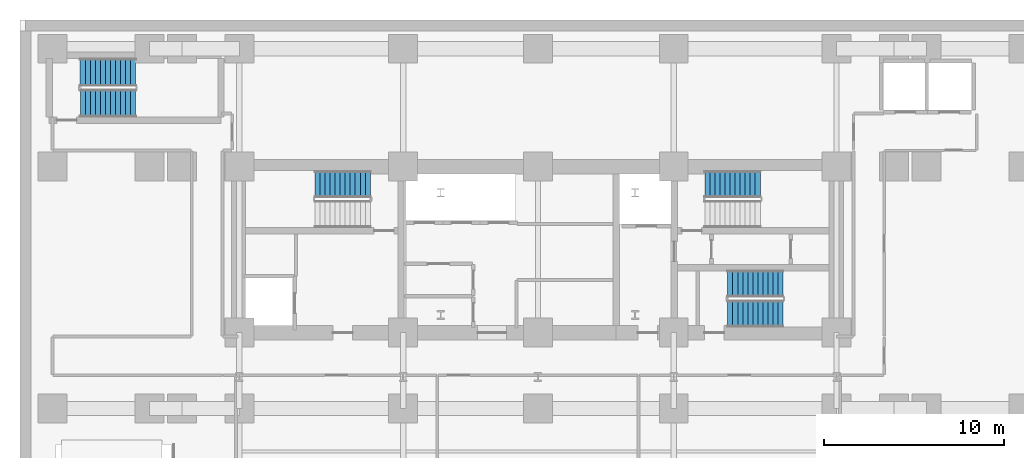
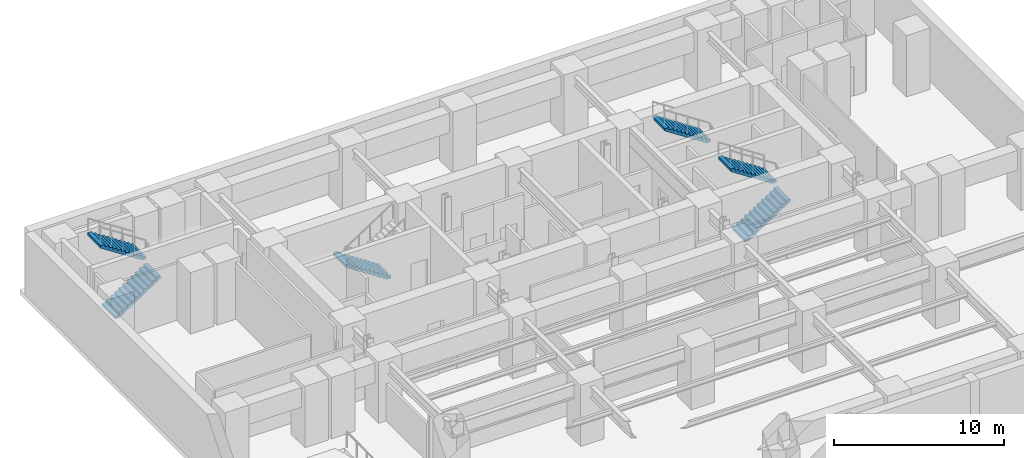
# One storey, part 5 of 9: 6 stair flights, 4 elements without a shape of their own.
"""IFC4 building model written with IfcOpenShell, lengths in metres."""

from ifc_helpers import new_model, si_unit, direction, frame, origin, place, context, subcontext, project, spatial, polyline, outline, extrude, material, layer, layer_set, type_object, element, aggregate, save


model = new_model("IFC4")

# Units and contexts
model_context = context("Model", 3, precision=1e-05, world=origin(), true_north=direction((0.0, 1.0)))
body_context = subcontext(model_context, "Body", "Model", "MODEL_VIEW")
ifc_project = project(units=[si_unit("LENGTHUNIT", "METRE"), si_unit("AREAUNIT", "SQUARE_METRE"), si_unit("VOLUMEUNIT", "CUBIC_METRE"), si_unit("PLANEANGLEUNIT", "RADIAN"), si_unit("MASSUNIT", "GRAM", prefix="KILO")], contexts=[model_context])

# Site, building, storey
site_placement = place(None, origin())
site = spatial("IfcSite", under=ifc_project, at=site_placement, CompositionType="ELEMENT")
building_placement = place(site_placement, origin())
building = spatial("IfcBuilding", under=site, at=building_placement, Name="Zarnavel Station Tower", CompositionType="ELEMENT")
storey_placement = place(building_placement, frame((0.0, 0.0, -8.800048828125)))
storey = spatial("IfcBuildingStorey", under=building, at=storey_placement, Name="B02", CompositionType="ELEMENT", Elevation=-8.800048828125)

# Stair, stair flight
ifc_material_1 = material(Name="Concrete C45/55", Category="concrete")
stair_type_1 = type_object("IfcStairType", Name="ST_CORE_150", PredefinedType="HALF_TURN_STAIR", material=ifc_material_1)
stair_1_placement = place(storey_placement, origin())
stair_1 = element("IfcStair", 1, at=stair_1_placement, inside=storey, type_object=stair_type_1, Name="B02 Core Exit Stair ST1", PredefinedType="HALF_TURN_STAIR")
ifc_material_2 = material(Name="Concrete C45/55", Category="concrete")
ifc_layer_1 = layer(ifc_material_2, 0.179931640625)
ifc_layer_set_1 = layer_set([ifc_layer_1], Name="ST_CORE_150_FLT")
stair_flight_type_1 = type_object("IfcStairFlightType", Name="ST_CORE_150_FLT", PredefinedType="STRAIGHT", material=ifc_layer_set_1)
stair_flight_1_placement = place(storey_placement, frame((19.47998046875, 36.070068359375, 0.0), z_axis=(0.0, 0.0, 1.0), x_axis=(-1.0, 0.0, 0.0)))
stair_flight_1 = element("IfcStairFlight", 2, at=stair_flight_1_placement, type_object=stair_flight_type_1, Name="ST1 flight 1", NumberOfRisers=12, NumberOfTreads=11, PredefinedType="STRAIGHT", RiserHeight=0.183333333, TreadLength=0.28, context=body_context, shape_type="SweptSolid", body=[
    extrude(outline(polyline([(0.0, 0.0), (0.0, 0.183349609375), (0.280029296875, 0.183349609375), (0.280029296875, 0.36669921875), (0.56005859375, 0.36669921875), (0.56005859375, 0.550048828125), (0.840087890625, 0.550048828125), (0.840087890625, 0.7333984375), (1.1201171875, 0.7333984375), (1.1201171875, 0.916748046875), (1.39990234375, 0.916748046875), (1.39990234375, 1.10009765625), (1.679931640625, 1.10009765625), (1.679931640625, 1.283447265625), (1.9599609375, 1.283447265625), (1.9599609375, 1.466552734375), (2.239990234375, 1.466552734375), (2.239990234375, 1.64990234375), (2.52001953125, 1.64990234375), (2.52001953125, 1.833251953125), (2.800048828125, 1.833251953125), (2.800048828125, 2.0166015625), (3.080078125, 2.0166015625), (3.080078125, 2.199951171875), (3.080078125, 1.83740234375), (0.273681640625, 0.0), (0.0, 0.0)])), frame((0.0, 0.75, 0.0), z_axis=(0.0, -1.0, 0.0), x_axis=(1.0, 0.0, 0.0)), (0.0, 0.0, 1.0), 1.5),
])
aggregate(stair_1, [stair_flight_1])

stair_2_placement = place(storey_placement, origin())
stair_2 = element("IfcStair", 3, at=stair_2_placement, inside=storey, type_object=stair_type_1, Name="B02 Core Exit Stair ST2", PredefinedType="HALF_TURN_STAIR")
stair_flight_2_placement = place(storey_placement, frame((41.159912109375, 36.070068359375, 2.199951171875), z_axis=(0.0, 0.0, 1.0), x_axis=(-1.0, 0.0, 0.0)))
stair_flight_2 = element("IfcStairFlight", 4, at=stair_flight_2_placement, type_object=stair_flight_type_1, Name="ST2 flight 2", NumberOfRisers=12, NumberOfTreads=11, PredefinedType="STRAIGHT", RiserHeight=0.183333333, TreadLength=0.28, context=body_context, shape_type="SweptSolid", body=[
    extrude(outline(polyline([(0.0, 0.0), (0.0, 0.183349609375), (0.280029296875, 0.183349609375), (0.280029296875, 0.36669921875), (0.56005859375, 0.36669921875), (0.56005859375, 0.550048828125), (0.840087890625, 0.550048828125), (0.840087890625, 0.7333984375), (1.1201171875, 0.7333984375), (1.1201171875, 0.916748046875), (1.39990234375, 0.916748046875), (1.39990234375, 1.10009765625), (1.679931640625, 1.10009765625), (1.679931640625, 1.283447265625), (1.9599609375, 1.283447265625), (1.9599609375, 1.466552734375), (2.239990234375, 1.466552734375), (2.239990234375, 1.64990234375), (2.52001953125, 1.64990234375), (2.52001953125, 1.833251953125), (2.800048828125, 1.833251953125), (2.800048828125, 2.0166015625), (3.080078125, 2.0166015625), (3.080078125, 2.199951171875), (3.080078125, 1.83740234375), (0.273681640625, 0.0), (0.0, 0.0)])), frame((0.0, 0.75, 0.0), z_axis=(0.0, -1.0, 0.0), x_axis=(1.0, 0.0, 0.0)), (0.0, 0.0, 1.0), 1.5),
])
aggregate(stair_2, [stair_flight_2])

# Stair, stair flights
stair_3_placement = place(storey_placement, origin())
stair_3 = element("IfcStair", 5, at=stair_3_placement, inside=storey, type_object=stair_type_1, Name="B02 Core Exit Stair ST3", PredefinedType="HALF_TURN_STAIR")
stair_flight_3_placement = place(storey_placement, frame((39.35009765625, 28.8701171875, 0.0), z_axis=(0.0, 0.0, 1.0), x_axis=(1.0, 0.0, 0.0)))
stair_flight_3 = element("IfcStairFlight", 6, at=stair_flight_3_placement, type_object=stair_flight_type_1, Name="ST3 flight 1", NumberOfRisers=12, NumberOfTreads=11, PredefinedType="STRAIGHT", RiserHeight=0.183333333, TreadLength=0.28, context=body_context, shape_type="SweptSolid", body=[
    extrude(outline(polyline([(0.0, 0.0), (0.0, 0.183349609375), (0.280029296875, 0.183349609375), (0.280029296875, 0.36669921875), (0.56005859375, 0.36669921875), (0.56005859375, 0.550048828125), (0.840087890625, 0.550048828125), (0.840087890625, 0.7333984375), (1.1201171875, 0.7333984375), (1.1201171875, 0.916748046875), (1.39990234375, 0.916748046875), (1.39990234375, 1.10009765625), (1.679931640625, 1.10009765625), (1.679931640625, 1.283447265625), (1.9599609375, 1.283447265625), (1.9599609375, 1.466552734375), (2.239990234375, 1.466552734375), (2.239990234375, 1.64990234375), (2.52001953125, 1.64990234375), (2.52001953125, 1.833251953125), (2.800048828125, 1.833251953125), (2.800048828125, 2.0166015625), (3.080078125, 2.0166015625), (3.080078125, 2.199951171875), (3.080078125, 1.83740234375), (0.273681640625, 0.0), (0.0, 0.0)])), frame((0.0, 0.75, 0.0), z_axis=(0.0, -1.0, 0.0), x_axis=(1.0, 0.0, 0.0)), (0.0, 0.0, 1.0), 1.5),
])
stair_flight_4_placement = place(storey_placement, frame((42.429931640625, 30.530029296875, 2.199951171875), z_axis=(0.0, 0.0, 1.0), x_axis=(-1.0, 0.0, 0.0)))
stair_flight_4 = element("IfcStairFlight", 7, at=stair_flight_4_placement, type_object=stair_flight_type_1, Name="ST3 flight 2", NumberOfRisers=12, NumberOfTreads=11, PredefinedType="STRAIGHT", RiserHeight=0.183333333, TreadLength=0.28, context=body_context, shape_type="SweptSolid", body=[
    extrude(outline(polyline([(0.0, 0.0), (0.0, 0.183349609375), (0.280029296875, 0.183349609375), (0.280029296875, 0.36669921875), (0.56005859375, 0.36669921875), (0.56005859375, 0.550048828125), (0.840087890625, 0.550048828125), (0.840087890625, 0.7333984375), (1.1201171875, 0.7333984375), (1.1201171875, 0.916748046875), (1.39990234375, 0.916748046875), (1.39990234375, 1.10009765625), (1.679931640625, 1.10009765625), (1.679931640625, 1.283447265625), (1.9599609375, 1.283447265625), (1.9599609375, 1.466552734375), (2.239990234375, 1.466552734375), (2.239990234375, 1.64990234375), (2.52001953125, 1.64990234375), (2.52001953125, 1.833251953125), (2.800048828125, 1.833251953125), (2.800048828125, 2.0166015625), (3.080078125, 2.0166015625), (3.080078125, 2.199951171875), (3.080078125, 1.83740234375), (0.273681640625, 0.0), (0.0, 0.0)])), frame((0.0, 0.75, 0.0), z_axis=(0.0, -1.0, 0.0), x_axis=(1.0, 0.0, 0.0)), (0.0, 0.0, 1.0), 1.5),
])
aggregate(stair_3, [stair_flight_3, stair_flight_4])

ifc_material_3 = material(Name="Concrete C45/55", Category="concrete")
stair_type_2 = type_object("IfcStairType", Name="ST_POD_155", PredefinedType="HALF_TURN_STAIR", material=ifc_material_3)
stair_4_placement = place(storey_placement, origin())
stair_4 = element("IfcStair", 8, at=stair_4_placement, inside=storey, type_object=stair_type_2, Name="B02 Core Exit Stair ST4", PredefinedType="HALF_TURN_STAIR")
ifc_material_4 = material(Name="Concrete C45/55", Category="concrete")
ifc_layer_2 = layer(ifc_material_4, 0.179931640625)
ifc_layer_set_2 = layer_set([ifc_layer_2], Name="ST_POD_155_FLT")
stair_flight_type_2 = type_object("IfcStairFlightType", Name="ST_POD_155_FLT", PredefinedType="STRAIGHT", material=ifc_layer_set_2)
stair_flight_5_placement = place(storey_placement, frame((3.35009765625, 40.574951171875, 0.0), z_axis=(0.0, 0.0, 1.0), x_axis=(1.0, 0.0, 0.0)))
stair_flight_5 = element("IfcStairFlight", 9, at=stair_flight_5_placement, type_object=stair_flight_type_2, Name="ST4 flight 1", NumberOfRisers=12, NumberOfTreads=11, PredefinedType="STRAIGHT", RiserHeight=0.183333333, TreadLength=0.28, context=body_context, shape_type="SweptSolid", body=[
    extrude(outline(polyline([(0.0, 0.0), (0.0, 0.183349609375), (0.280029296875, 0.183349609375), (0.280029296875, 0.36669921875), (0.56005859375, 0.36669921875), (0.56005859375, 0.550048828125), (0.840087890625, 0.550048828125), (0.840087890625, 0.7333984375), (1.1201171875, 0.7333984375), (1.1201171875, 0.916748046875), (1.39990234375, 0.916748046875), (1.39990234375, 1.10009765625), (1.679931640625, 1.10009765625), (1.679931640625, 1.283447265625), (1.9599609375, 1.283447265625), (1.9599609375, 1.466552734375), (2.239990234375, 1.466552734375), (2.239990234375, 1.64990234375), (2.52001953125, 1.64990234375), (2.52001953125, 1.833251953125), (2.800048828125, 1.833251953125), (2.800048828125, 2.0166015625), (3.080078125, 2.0166015625), (3.080078125, 2.199951171875), (3.080078125, 1.83740234375), (0.273681640625, 0.0), (0.0, 0.0)])), frame((0.0, 0.77490234375, 0.0), z_axis=(0.0, -1.0, 0.0), x_axis=(1.0, 0.0, 0.0)), (0.0, 0.0, 1.0), 1.550048828125),
])
stair_flight_6_placement = place(storey_placement, frame((6.429931640625, 42.284912109375, 2.199951171875), z_axis=(0.0, 0.0, 1.0), x_axis=(-1.0, 0.0, 0.0)))
stair_flight_6 = element("IfcStairFlight", 10, at=stair_flight_6_placement, type_object=stair_flight_type_2, Name="ST4 flight 2", NumberOfRisers=12, NumberOfTreads=11, PredefinedType="STRAIGHT", RiserHeight=0.183333333, TreadLength=0.28, context=body_context, shape_type="SweptSolid", body=[
    extrude(outline(polyline([(0.0, 0.0), (0.0, 0.183349609375), (0.280029296875, 0.183349609375), (0.280029296875, 0.36669921875), (0.56005859375, 0.36669921875), (0.56005859375, 0.550048828125), (0.840087890625, 0.550048828125), (0.840087890625, 0.7333984375), (1.1201171875, 0.7333984375), (1.1201171875, 0.916748046875), (1.39990234375, 0.916748046875), (1.39990234375, 1.10009765625), (1.679931640625, 1.10009765625), (1.679931640625, 1.283447265625), (1.9599609375, 1.283447265625), (1.9599609375, 1.466552734375), (2.239990234375, 1.466552734375), (2.239990234375, 1.64990234375), (2.52001953125, 1.64990234375), (2.52001953125, 1.833251953125), (2.800048828125, 1.833251953125), (2.800048828125, 2.0166015625), (3.080078125, 2.0166015625), (3.080078125, 2.199951171875), (3.080078125, 1.83740234375), (0.273681640625, 0.0), (0.0, 0.0)])), frame((0.0, 0.77490234375, 0.0), z_axis=(0.0, -1.0, 0.0), x_axis=(1.0, 0.0, 0.0)), (0.0, 0.0, 1.0), 1.550048828125),
])
aggregate(stair_4, [stair_flight_5, stair_flight_6])

save(model, "model.ifc")
